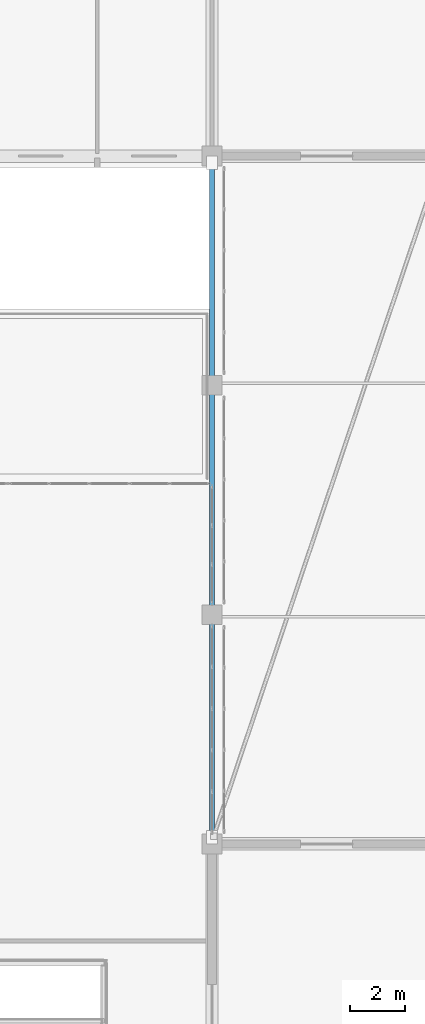
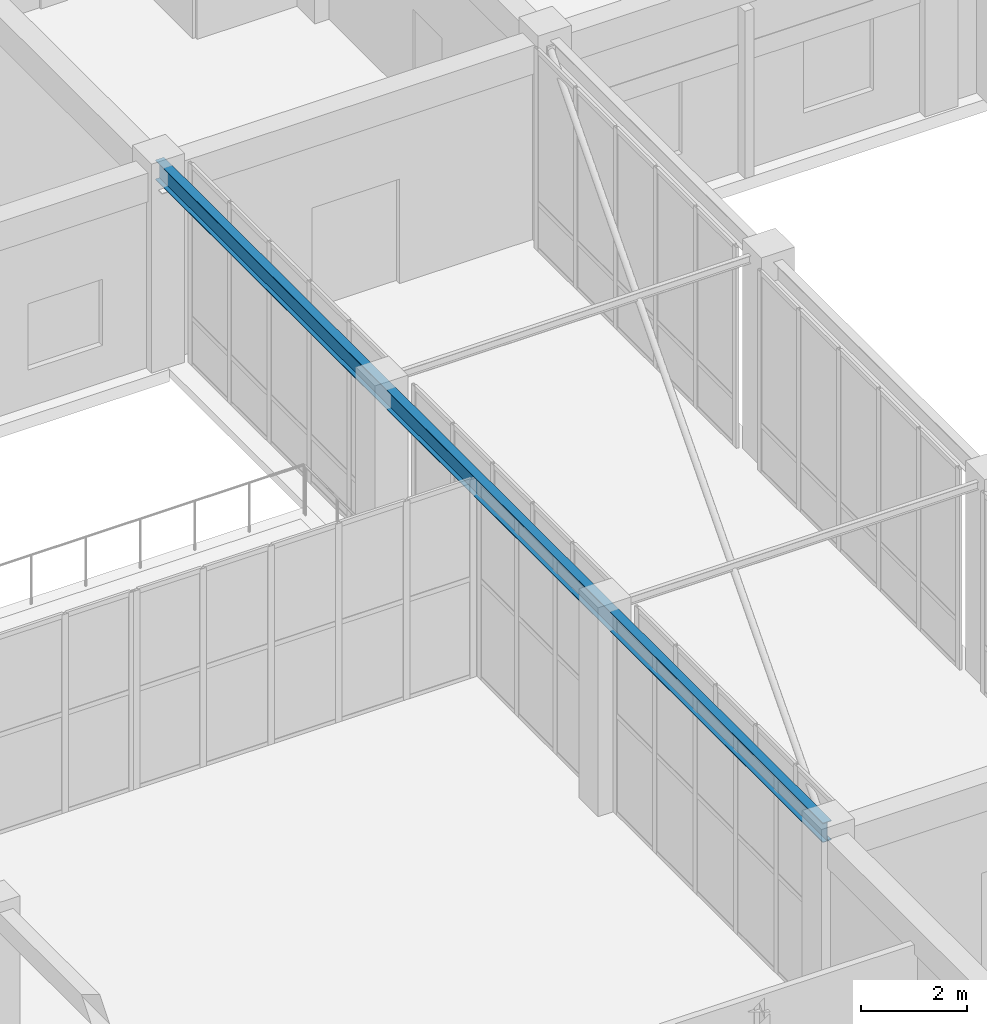
# One storey, part 71 of 158: 1 beam.
"""IFC4 building model written with IfcOpenShell, lengths in metres."""

from ifc_helpers import new_model, si_unit, direction, frame, origin, origin_2d, place, context, subcontext, project, spatial, i_section, extrude, material, material_profile, profile_set, type_object, element, save


model = new_model("IFC4")

# Units and contexts
model_context = context("Model", 3, precision=1e-05, world=origin(), true_north=direction((0.0, 1.0)))
body_context = subcontext(model_context, "Body", "Model", "MODEL_VIEW")
ifc_project = project(units=[si_unit("LENGTHUNIT", "METRE"), si_unit("AREAUNIT", "SQUARE_METRE"), si_unit("VOLUMEUNIT", "CUBIC_METRE"), si_unit("PLANEANGLEUNIT", "RADIAN"), si_unit("MASSUNIT", "GRAM", prefix="KILO")], contexts=[model_context])

# Site, building, storey
site_placement = place(None, origin())
site = spatial("IfcSite", under=ifc_project, at=site_placement, CompositionType="ELEMENT")
building_placement = place(site_placement, origin())
building = spatial("IfcBuilding", under=site, at=building_placement, Name="Trelvath General Hospital", CompositionType="ELEMENT")
storey_placement = place(building_placement, frame((0.0, 0.0, 8.10009765625)))
storey = spatial("IfcBuildingStorey", under=building, at=storey_placement, Name="L02", CompositionType="ELEMENT", Elevation=8.10009765625)

# Beam
ifc_material = material(Name="Steel S355", Category="steel")
ifc_material_profile = material_profile(ifc_material, i_section(OverallWidth=0.18994140625, OverallDepth=0.449951171875, WebThickness=0.009521484375, FlangeThickness=0.0146484375, at=origin_2d()), Name="IPE450")
ifc_profile_set = profile_set([ifc_material_profile], Name="Steel S355")
beam_type = type_object("IfcBeamType", Name="BridgeGirder IPE450", PredefinedType="BEAM", material=ifc_profile_set)
beam_placement = place(storey_placement, frame((75.60009765625, 67.239990234375, 4.385009765625), z_axis=(0.0, 1.0, 0.0), x_axis=(-1.0, 0.0, 0.0)))
element("IfcBeam", 1, at=beam_placement, inside=storey, type_object=beam_type, Name="Bridge Girder BRG-N-C W L03", PredefinedType="BEAM", context=body_context, shape_type="SweptSolid", body=[
    extrude(i_section(OverallWidth=0.18994140625, OverallDepth=0.449951171875, WebThickness=0.009521484375, FlangeThickness=0.0146484375, at=origin_2d()), origin(), (0.0, 0.0, 1.0), 25.1201171875),
])

save(model, "model.ifc")
